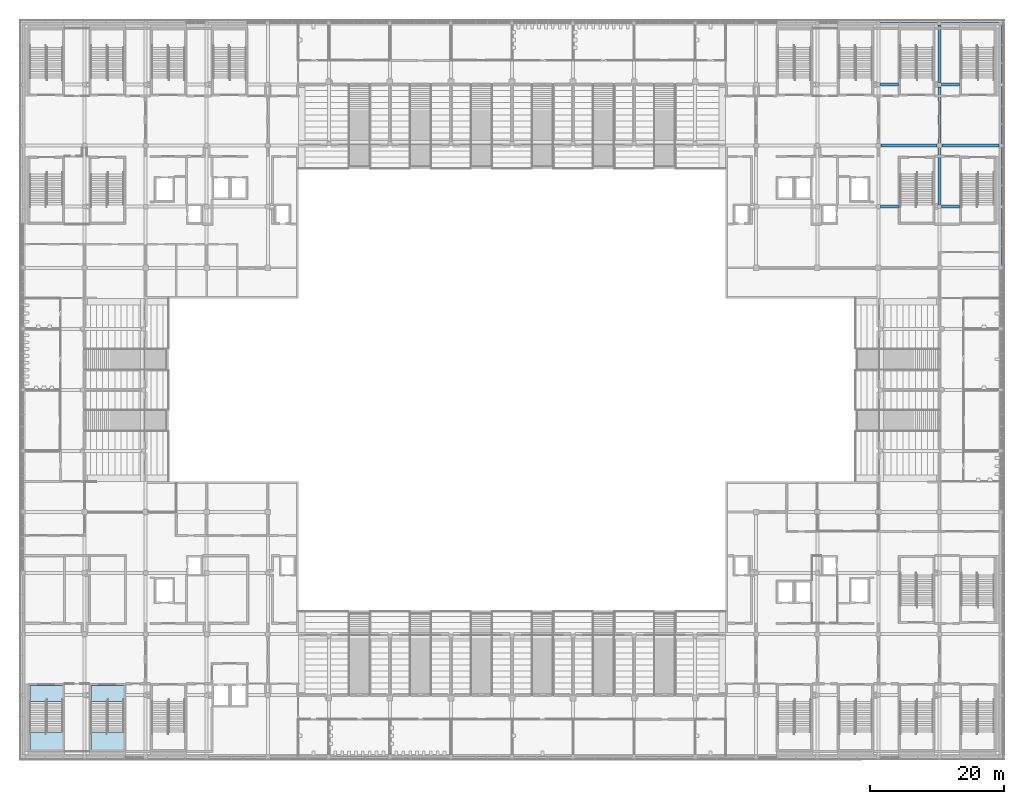
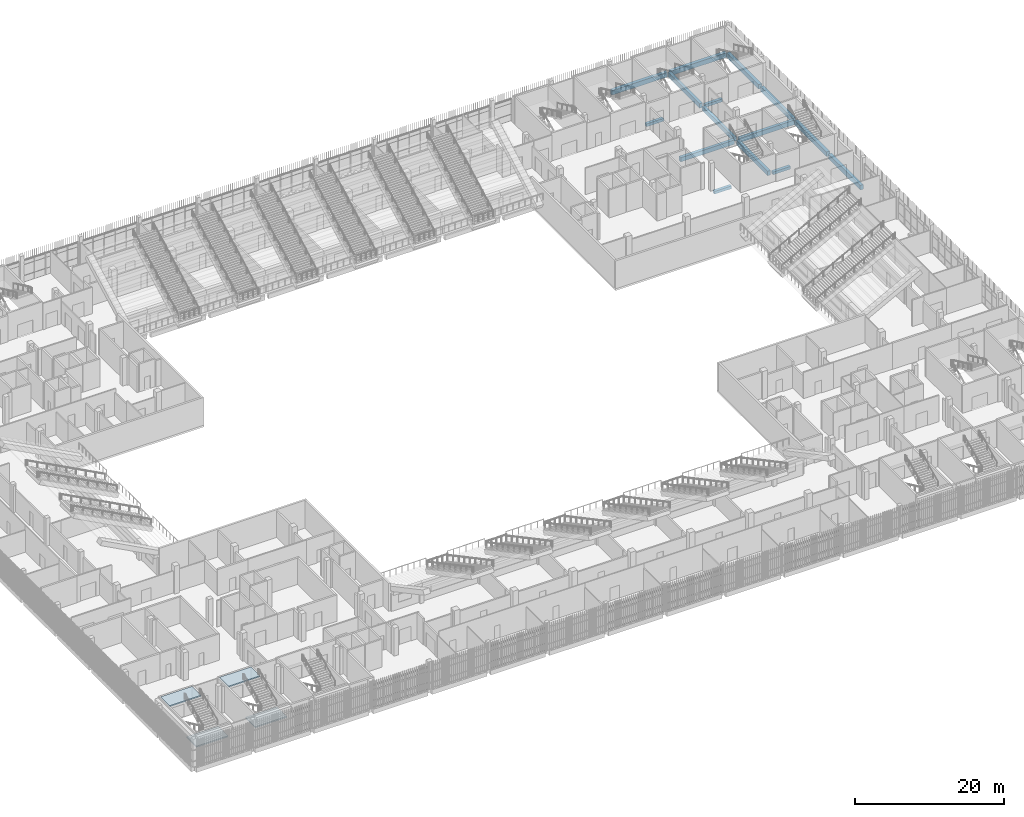
# One storey, part 62 of 139: 15 beams, 4 slabs, 2 elements without a shape of their own.
"""IFC4 building model written with IfcOpenShell, lengths in metres."""

import ifcopenshell
import ifcopenshell.guid

model = None  # the IFC model being written
_history = None  # IfcOwnerHistory: only IFC2X3 demands one
_inside = {}  # id of a spatial element -> (the spatial element, [elements in it])
_under = {}  # id of a project, library or spatial element -> (it, [spatial elements below it])
_declared = {}  # id of a project -> (the project, [libraries it declares])
_typed = {}  # id of a type object -> (the type object, [elements of that type])
_made_of = {}  # id of a material, layer set ... -> (it, [elements and type objects made of it])


def new_model(schema):
    """Start an empty IFC model of exactly this schema.

    Asked for "IFC4X3", IfcOpenShell would pick the latest addendum, in which some entities
    have other attributes; the version numbers below select the first issue.
    IFC2X3 requires an IfcOwnerHistory on every rooted entity: one is made here for all.
    """
    global model, _history
    if schema == "IFC4X3":
        model = ifcopenshell.file(schema_version=(4, 3, 0, 0))
    else:
        model = ifcopenshell.file(schema=schema)
    _inside.clear()
    _under.clear()
    _declared.clear()
    _typed.clear()
    _made_of.clear()
    _history = None
    if model.schema == "IFC2X3":
        org = make("IfcOrganization", Name="unknown")
        user = make(
            "IfcPersonAndOrganization",
            ThePerson=make("IfcPerson", FamilyName="unknown"),
            TheOrganization=org,
        )
        app = make(
            "IfcApplication",
            ApplicationDeveloper=org,
            Version="unknown",
            ApplicationFullName="unknown",
            ApplicationIdentifier="unknown",
        )
        _history = make(
            "IfcOwnerHistory",
            OwningUser=user,
            OwningApplication=app,
            ChangeAction="ADDED",
            CreationDate=0,
        )
    return model


def make(cls, **values):
    """One entity of the class cls with the attributes given. An attribute that is None is left unset."""
    return model.create_entity(
        cls, **{name: value for name, value in values.items() if value is not None}
    )


def rooted(cls, **values):
    """An entity with a GlobalId (a new one), such as an element, a storey or a relation."""
    return make(cls, GlobalId=ifcopenshell.guid.new(), OwnerHistory=_history, **values)


def si_unit(unit_type, name, prefix=None):
    """IfcSIUnit, for example si_unit("LENGTHUNIT", "METRE", prefix="MILLI")."""
    return make("IfcSIUnit", UnitType=unit_type, Prefix=prefix, Name=name)


def assignment(units):
    """IfcUnitAssignment: the units of a project."""
    return None if units is None else make("IfcUnitAssignment", Units=units)


def point(xyz):
    """IfcCartesianPoint."""
    return None if xyz is None else make("IfcCartesianPoint", Coordinates=xyz)


def direction(xyz):
    """IfcDirection."""
    return None if xyz is None else make("IfcDirection", DirectionRatios=xyz)


def frame(location, z_axis=None, x_axis=None):
    """IfcAxis2Placement3D, a coordinate frame: its origin and axes. An axis left out is left unset."""
    return make(
        "IfcAxis2Placement3D",
        Location=point(location),
        Axis=direction(z_axis),
        RefDirection=direction(x_axis),
    )


def frame_2d(location, x_axis=None):
    """IfcAxis2Placement2D, a coordinate frame in the plane: its origin and x axis."""
    return make(
        "IfcAxis2Placement2D", Location=point(location), RefDirection=direction(x_axis)
    )


def origin():
    """The frame at (0, 0, 0) with its axes left unset."""
    return frame((0.0, 0.0, 0.0))


def origin_2d():
    """The frame at (0, 0) in the plane with its x axis left unset."""
    return frame_2d((0.0, 0.0))


def place(relative_to, where):
    """IfcLocalPlacement: puts the frame where relative to a parent placement (None: the world)."""
    return make(
        "IfcLocalPlacement", PlacementRelTo=relative_to, RelativePlacement=where
    )


def context(
    kind, dimensions, precision=None, world=None, true_north=None, identifier=None
):
    """IfcGeometricRepresentationContext, for example the 3D "Model" context."""
    return make(
        "IfcGeometricRepresentationContext",
        ContextIdentifier=identifier,
        ContextType=kind,
        CoordinateSpaceDimension=dimensions,
        Precision=precision,
        WorldCoordinateSystem=world,
        TrueNorth=true_north,
    )


def subcontext(parent, identifier, kind, view, scale=None):
    """IfcGeometricRepresentationSubContext, for example "Body" below "Model"."""
    return make(
        "IfcGeometricRepresentationSubContext",
        ContextIdentifier=identifier,
        ContextType=kind,
        ParentContext=parent,
        TargetScale=scale,
        TargetView=view,
    )


def project(units=None, contexts=None):
    """IfcProject with its units and contexts."""
    return rooted(
        "IfcProject",
        Name="project",
        RepresentationContexts=contexts,
        UnitsInContext=assignment(units),
    )


def spatial(cls, under=None, at=None, **own):
    """A site, building, storey or space (cls), placed at a placement, below another one or the project."""
    s = rooted(cls, ObjectPlacement=at, **own)
    if under is not None:
        _under.setdefault(under.id(), (under, []))[1].append(s)
    return s


def polyline(points):
    """IfcPolyline through the points."""
    return make("IfcPolyline", Points=[point(p) for p in points])


def profile(cls, at=None, kind="AREA", **sizes):
    """A parametric profile (cls). Its sizes go by their IFC names, for example OverallWidth=200.0."""
    return make(cls, ProfileType=kind, Position=at, **sizes)


def rectangle(**sizes):
    """IfcRectangleProfileDef."""
    return profile("IfcRectangleProfileDef", **sizes)


def outline(outer, holes=None, kind="AREA"):
    """IfcArbitraryClosedProfileDef: a profile drawn as a closed curve; with holes, ...WithVoids."""
    if holes is None:
        return make("IfcArbitraryClosedProfileDef", ProfileType=kind, OuterCurve=outer)
    return make(
        "IfcArbitraryProfileDefWithVoids",
        ProfileType=kind,
        OuterCurve=outer,
        InnerCurves=holes,
    )


def extrude(swept, where, along, depth):
    """IfcExtrudedAreaSolid: the profile swept, set in the frame where, extruded along a direction by depth."""
    return make(
        "IfcExtrudedAreaSolid",
        SweptArea=swept,
        Position=where,
        ExtrudedDirection=direction(along),
        Depth=depth,
    )


def shape(context_of_items, identifier, shape_type, items):
    """IfcShapeRepresentation: the items that make up one representation, for example the "Body"."""
    return make(
        "IfcShapeRepresentation",
        ContextOfItems=context_of_items,
        RepresentationIdentifier=identifier,
        RepresentationType=shape_type,
        Items=items,
    )


def material(Name=None, Category=None):
    """IfcMaterial."""
    return make("IfcMaterial", Name=Name, Category=Category)


def layer(
    of_material, thickness, ventilated=None, Name=None, Category=None, Priority=None
):
    """IfcMaterialLayer: one layer of a wall or slab, of a material (None: an air gap)."""
    return make(
        "IfcMaterialLayer",
        Material=of_material,
        LayerThickness=thickness,
        IsVentilated=ventilated,
        Name=Name,
        Category=Category,
        Priority=Priority,
    )


def layer_set(layers, Name=None):
    """IfcMaterialLayerSet."""
    return make("IfcMaterialLayerSet", MaterialLayers=layers, LayerSetName=Name)


def material_profile(
    of_material, cross_section, Name=None, Category=None, Priority=None
):
    """IfcMaterialProfile: a cross section and its material."""
    return make(
        "IfcMaterialProfile",
        Name=Name,
        Material=of_material,
        Profile=cross_section,
        Priority=Priority,
        Category=Category,
    )


def profile_set(profiles, Name=None, composite=None):
    """IfcMaterialProfileSet."""
    return make(
        "IfcMaterialProfileSet",
        Name=Name,
        MaterialProfiles=profiles,
        CompositeProfile=composite,
    )


def made_of(thing, what):
    """Note that an element or type object is made of a material, layer set ...; save() writes the relation."""
    if what is not None:
        _made_of.setdefault(what.id(), (what, []))[1].append(thing)
    return thing


def type_object(cls, material=None, **own):
    """A type object (cls), such as IfcWallType, which elements share."""
    return made_of(rooted(cls, **own), material)


def element(
    cls,
    number,
    at=None,
    inside=None,
    cuts=None,
    type_object=None,
    material=None,
    context=None,
    identifier="Body",
    shape_type=None,
    held_by="IfcProductDefinitionShape",
    body=None,
    shapes=None,
    **own,
):
    """One element of the class cls, such as IfcWall. Its Tag is "e" and its number.

    at: its placement. inside: the storey or other place that contains it. cuts: it is an
    opening in that element (IfcRelVoidsElement). A single representation is given by context,
    identifier, shape_type and body (its items); several are given by shapes. held_by: the class
    of the entity that holds the representations. save() writes the other relations.
    """
    e = rooted(cls, Tag="e%d" % number, ObjectPlacement=at, **own)
    if body is not None:
        shapes = [shape(context, identifier, shape_type, body)]
    if shapes is not None:
        e.Representation = make(held_by, Representations=shapes)
    if inside is not None:
        _inside.setdefault(inside.id(), (inside, []))[1].append(e)
    if cuts is not None:
        rooted(
            "IfcRelVoidsElement", RelatingBuildingElement=cuts, RelatedOpeningElement=e
        )
    if type_object is not None:
        _typed.setdefault(type_object.id(), (type_object, []))[1].append(e)
    return made_of(e, material)


def aggregate(whole, parts):
    """IfcRelAggregates: a whole, such as a stair, and the parts it consists of."""
    return rooted("IfcRelAggregates", RelatingObject=whole, RelatedObjects=parts)


def save(model, path):
    """Write the relations noted so far, then the file.

    IfcRelAggregates (storeys below a building ...), IfcRelContainedInSpatialStructure (elements
    in a storey), IfcRelDefinesByType, IfcRelAssociatesMaterial and IfcRelDeclares: one each for
    every whole, place, type object, material and project.
    """
    for whole, parts in _under.values():
        aggregate(whole, parts)
    for where, things in _inside.values():
        rooted(
            "IfcRelContainedInSpatialStructure",
            RelatedElements=things,
            RelatingStructure=where,
        )
    for kind, things in _typed.values():
        rooted("IfcRelDefinesByType", RelatedObjects=things, RelatingType=kind)
    for what, things in _made_of.values():
        rooted("IfcRelAssociatesMaterial", RelatedObjects=things, RelatingMaterial=what)
    for by, libraries in _declared.values():
        rooted("IfcRelDeclares", RelatingContext=by, RelatedDefinitions=libraries)
    model.write(path)


model = new_model("IFC4")

# Units and contexts
model_context = context("Model", 3, precision=1e-05, world=origin(), true_north=direction((0.0, 1.0)))
body_context = subcontext(model_context, "Body", "Model", "MODEL_VIEW")
ifc_project = project(units=[si_unit("LENGTHUNIT", "METRE"), si_unit("AREAUNIT", "SQUARE_METRE"), si_unit("VOLUMEUNIT", "CUBIC_METRE"), si_unit("PLANEANGLEUNIT", "RADIAN"), si_unit("MASSUNIT", "GRAM", prefix="KILO")], contexts=[model_context])

# Site, building, storey
site_placement = place(None, origin())
site = spatial("IfcSite", under=ifc_project, at=site_placement, CompositionType="ELEMENT")
building_placement = place(site_placement, origin())
building = spatial("IfcBuilding", under=site, at=building_placement, Name="Shirokan Park Arena", CompositionType="ELEMENT")
storey_placement = place(building_placement, frame((0.0, 0.0, 15.469970703125)))
storey = spatial("IfcBuildingStorey", under=building, at=storey_placement, Name="L03", CompositionType="ELEMENT", Elevation=15.469970703125)

# Beams
ifc_material_1 = material(Name="Concrete C35", Category="concrete")
ifc_material_profile_1 = material_profile(ifc_material_1, rectangle(XDim=0.449951171875, YDim=0.699951171875, at=origin_2d()), Name="450x700")
ifc_profile_set_1 = profile_set([ifc_material_profile_1], Name="Concrete C35")
beam_type_1 = type_object("IfcBeamType", Name="RC girder 450x700", PredefinedType="BEAM", material=ifc_profile_set_1)
beam_1_placement = place(storey_placement, frame((127.775146484375, 91.0, -0.64990234375), z_axis=(1.0, 0.0, 0.0), x_axis=(0.0, 1.0, 0.0)))
element("IfcBeam", 1, at=beam_1_placement, inside=storey, type_object=beam_type_1, Name="Girder 15L-16L L03", PredefinedType="BEAM", context=body_context, shape_type="SweptSolid", body=[
    extrude(rectangle(XDim=0.449951171875, YDim=0.699951171875, at=origin_2d()), origin(), (0.0, 0.0, 1.0), 8.349853515625),
])
beam_2_placement = place(storey_placement, frame((136.5, 91.375, -0.64990234375), z_axis=(0.0, 1.0, 0.0), x_axis=(-1.0, 0.0, 0.0)))
element("IfcBeam", 2, at=beam_2_placement, inside=storey, type_object=beam_type_1, Name="Girder 16L-16M L03", PredefinedType="BEAM", context=body_context, shape_type="SweptSolid", body=[
    extrude(rectangle(XDim=0.449951171875, YDim=0.699951171875, at=origin_2d()), origin(), (0.0, 0.0, 1.0), 8.39990234375),
])
ifc_material_profile_2 = material_profile(ifc_material_1, rectangle(XDim=0.449951171875, YDim=0.75, at=origin_2d()), Name="450x750")
ifc_profile_set_2 = profile_set([ifc_material_profile_2], Name="Concrete C35")
beam_type_2 = type_object("IfcBeamType", Name="RC girder 450x750", PredefinedType="BEAM", material=ifc_profile_set_2)
beam_3_placement = place(storey_placement, frame((136.875, 91.0, -0.675048828125), z_axis=(1.0, 0.0, 0.0), x_axis=(0.0, 1.0, 0.0)))
element("IfcBeam", 3, at=beam_3_placement, inside=storey, type_object=beam_type_2, Name="Girder 16L-17L L03", PredefinedType="BEAM", context=body_context, shape_type="SweptSolid", body=[
    extrude(rectangle(XDim=0.449951171875, YDim=0.75, at=origin_2d()), origin(), (0.0, 0.0, 1.0), 8.5),
])
beam_4_placement = place(storey_placement, frame((136.5, 82.2001953125, -0.675048828125), z_axis=(0.0, 1.0, 0.0), x_axis=(-1.0, 0.0, 0.0)))
element("IfcBeam", 4, at=beam_4_placement, inside=storey, type_object=beam_type_2, Name="Girder 16K-16L L03", PredefinedType="BEAM", context=body_context, shape_type="SweptSolid", body=[
    extrude(rectangle(XDim=0.449951171875, YDim=0.75, at=origin_2d()), origin(), (0.0, 0.0, 1.0), 8.4248046875),
])
beam_5_placement = place(storey_placement, frame((136.5, 100.425048828125, -0.675048828125), z_axis=(0.0, 1.0, 0.0), x_axis=(-1.0, 0.0, 0.0)))
element("IfcBeam", 5, at=beam_5_placement, inside=storey, type_object=beam_type_2, Name="Girder 16M-16N L03", PredefinedType="BEAM", context=body_context, shape_type="SweptSolid", body=[
    extrude(rectangle(XDim=0.449951171875, YDim=0.75, at=origin_2d()), origin(), (0.0, 0.0, 1.0), 8.5498046875),
])
ifc_material_profile_3 = material_profile(ifc_material_1, rectangle(XDim=0.5, YDim=0.75, at=origin_2d()), Name="500x750")
ifc_profile_set_3 = profile_set([ifc_material_profile_3], Name="Concrete C35")
beam_type_3 = type_object("IfcBeamType", Name="RC girder 500x750", PredefinedType="BEAM", material=ifc_profile_set_3)
for number, where, z_axis, x_axis, name in (
    (6, (127.650146484375, 109.199951171875, -0.675048828125), (1.0, 0.0, 0.0), (0.0, 1.0, 0.0), "Girder 15N-16N L03"),
    (7, (136.75, 109.199951171875, -0.675048828125), (1.0, 0.0, 0.0), (0.0, 1.0, 0.0), "Girder 16N-17N L03"),
):
    element("IfcBeam", number, at=place(storey_placement, frame(where, z_axis=z_axis, x_axis=x_axis)), inside=storey, type_object=beam_type_3, Name=name, PredefinedType="BEAM", context=body_context, shape_type="SweptSolid", body=[
        extrude(rectangle(XDim=0.5, YDim=0.75, at=origin_2d()), origin(), (0.0, 0.0, 1.0), 8.599853515625),
    ])
beam_6_placement = place(storey_placement, frame((145.60009765625, 73.125, -0.675048828125), z_axis=(0.0, 1.0, 0.0), x_axis=(-1.0, 0.0, 0.0)))
element("IfcBeam", 8, at=beam_6_placement, inside=storey, type_object=beam_type_3, Name="Girder 17J-17K L03", PredefinedType="BEAM", context=body_context, shape_type="SweptSolid", body=[
    extrude(rectangle(XDim=0.5, YDim=0.75, at=origin_2d()), origin(), (0.0, 0.0, 1.0), 8.52490234375),
])
for number, where, z_axis, x_axis, name in (
    (9, (145.60009765625, 82.150146484375, -0.675048828125), (0.0, 1.0, 0.0), (-1.0, 0.0, 0.0), "Girder 17K-17L L03"),
    (10, (145.60009765625, 91.275146484375, -0.675048828125), (0.0, 1.0, 0.0), (-1.0, 0.0, 0.0), "Girder 17L-17M L03"),
):
    element("IfcBeam", number, at=place(storey_placement, frame(where, z_axis=z_axis, x_axis=x_axis)), inside=storey, type_object=beam_type_3, Name=name, PredefinedType="BEAM", context=body_context, shape_type="SweptSolid", body=[
        extrude(rectangle(XDim=0.5, YDim=0.75, at=origin_2d()), origin(), (0.0, 0.0, 1.0), 8.57470703125),
    ])
beam_7_placement = place(storey_placement, frame((145.60009765625, 100.35009765625, -0.675048828125), z_axis=(0.0, 1.0, 0.0), x_axis=(-1.0, 0.0, 0.0)))
element("IfcBeam", 11, at=beam_7_placement, inside=storey, type_object=beam_type_3, Name="Girder 17M-17N L03", PredefinedType="BEAM", context=body_context, shape_type="SweptSolid", body=[
    extrude(rectangle(XDim=0.5, YDim=0.75, at=origin_2d()), origin(), (0.0, 0.0, 1.0), 8.599853515625),
])
ifc_material_profile_4 = material_profile(ifc_material_1, rectangle(XDim=0.449951171875, YDim=0.449951171875, at=origin_2d()), Name="450x450")
ifc_profile_set_4 = profile_set([ifc_material_profile_4], Name="Concrete C35")
beam_type_4 = type_object("IfcBeamType", Name="RC trimmer 450x450", PredefinedType="BEAM", material=ifc_profile_set_4)
beam_8_placement = place(storey_placement, frame((127.75, 81.89990234375, -0.52490234375), z_axis=(1.0, 0.0, 0.0), x_axis=(0.0, 1.0, 0.0)))
element("IfcBeam", 12, at=beam_8_placement, inside=storey, type_object=beam_type_4, Name="Girder 15K-16K L03", PredefinedType="BEAM", context=body_context, shape_type="SweptSolid", body=[
    extrude(rectangle(XDim=0.449951171875, YDim=0.449951171875, at=origin_2d()), origin(), (0.0, 0.0, 1.0), 2.64990234375),
])
beam_9_placement = place(storey_placement, frame((127.72509765625, 100.10009765625, -0.52490234375), z_axis=(1.0, 0.0, 0.0), x_axis=(0.0, 1.0, 0.0)))
element("IfcBeam", 13, at=beam_9_placement, inside=storey, type_object=beam_type_4, Name="Girder 15M-16M L03", PredefinedType="BEAM", context=body_context, shape_type="SweptSolid", body=[
    extrude(rectangle(XDim=0.449951171875, YDim=0.449951171875, at=origin_2d()), origin(), (0.0, 0.0, 1.0), 2.6748046875),
])
beam_10_placement = place(storey_placement, frame((136.800048828125, 81.89990234375, -0.52490234375), z_axis=(1.0, 0.0, 0.0), x_axis=(0.0, 1.0, 0.0)))
element("IfcBeam", 14, at=beam_10_placement, inside=storey, type_object=beam_type_4, Name="Girder 16K-17K L03", PredefinedType="BEAM", context=body_context, shape_type="SweptSolid", body=[
    extrude(rectangle(XDim=0.449951171875, YDim=0.449951171875, at=origin_2d()), origin(), (0.0, 0.0, 1.0), 2.699951171875),
])
beam_11_placement = place(storey_placement, frame((136.8251953125, 100.10009765625, -0.52490234375), z_axis=(1.0, 0.0, 0.0), x_axis=(0.0, 1.0, 0.0)))
element("IfcBeam", 15, at=beam_11_placement, inside=storey, type_object=beam_type_4, Name="Girder 16M-17M L03", PredefinedType="BEAM", context=body_context, shape_type="SweptSolid", body=[
    extrude(rectangle(XDim=0.449951171875, YDim=0.449951171875, at=origin_2d()), origin(), (0.0, 0.0, 1.0), 2.6748046875),
])

# Stair, slabs
ifc_material_2 = material(Name="Concrete C30 precast", Category="concrete")
stair_type = type_object("IfcStairType", Name="Stair 30 risers 152 x 327 2400 wide", PredefinedType="TWO_STRAIGHT_RUN_STAIR", material=ifc_material_2)
stair_1_placement = place(storey_placement, origin())
stair_1 = element("IfcStair", 16, at=stair_1_placement, inside=storey, type_object=stair_type, Name="Exit Stair 1.A L03 to L04", PredefinedType="TWO_STRAIGHT_RUN_STAIR")
ifc_layer = layer(ifc_material_2, 0.199951171875)
ifc_layer_set = layer_set([ifc_layer], Name="Concrete C30 precast 200 mm")
slab_type = type_object("IfcSlabType", Name="Stair landing 200", PredefinedType="LANDING", material=ifc_layer_set)
slab_1_placement = place(storey_placement, frame((0.0, 0.0, 2.074951171875)))
slab_1 = element("IfcSlab", 17, at=slab_1_placement, type_object=slab_type, Name="ST01.4 landing 1", PredefinedType="LANDING", context=body_context, shape_type="SweptSolid", body=[
    extrude(outline(polyline([(0.949951171875, 0.949951171875), (5.85009765625, 0.949951171875), (5.85009765625, 3.576171875), (0.949951171875, 3.576171875), (0.949951171875, 0.949951171875)])), origin(), (0.0, 0.0, 1.0), 0.2001953125),
])
slab_2_placement = place(storey_placement, frame((0.0, 0.0, 4.35009765625)))
slab_2 = element("IfcSlab", 18, at=slab_2_placement, type_object=slab_type, Name="ST01.4 landing 2", PredefinedType="LANDING", context=body_context, shape_type="SweptSolid", body=[
    extrude(outline(polyline([(0.949951171875, 8.14990234375), (5.85009765625, 8.14990234375), (5.85009765625, 10.550048828125), (0.949951171875, 10.550048828125), (0.949951171875, 8.14990234375)])), origin(), (0.0, 0.0, 1.0), 0.199951171875),
])
aggregate(stair_1, [slab_1, slab_2])

stair_2_placement = place(storey_placement, origin())
stair_2 = element("IfcStair", 19, at=stair_2_placement, inside=storey, type_object=stair_type, Name="Exit Stair 1.B L03 to L04", PredefinedType="TWO_STRAIGHT_RUN_STAIR")
slab_3_placement = place(storey_placement, frame((0.0, 0.0, 2.074951171875)))
slab_3 = element("IfcSlab", 20, at=slab_3_placement, type_object=slab_type, Name="ST02.4 landing 1", PredefinedType="LANDING", context=body_context, shape_type="SweptSolid", body=[
    extrude(outline(polyline([(10.050048828125, 0.949951171875), (14.949951171875, 0.949951171875), (14.949951171875, 3.576171875), (10.050048828125, 3.576171875), (10.050048828125, 0.949951171875)])), origin(), (0.0, 0.0, 1.0), 0.2001953125),
])
slab_4_placement = place(storey_placement, frame((0.0, 0.0, 4.35009765625)))
slab_4 = element("IfcSlab", 21, at=slab_4_placement, type_object=slab_type, Name="ST02.4 landing 2", PredefinedType="LANDING", context=body_context, shape_type="SweptSolid", body=[
    extrude(outline(polyline([(10.050048828125, 8.14990234375), (14.949951171875, 8.14990234375), (14.949951171875, 10.550048828125), (10.050048828125, 10.550048828125), (10.050048828125, 8.14990234375)])), origin(), (0.0, 0.0, 1.0), 0.199951171875),
])
aggregate(stair_2, [slab_3, slab_4])

save(model, "model.ifc")
